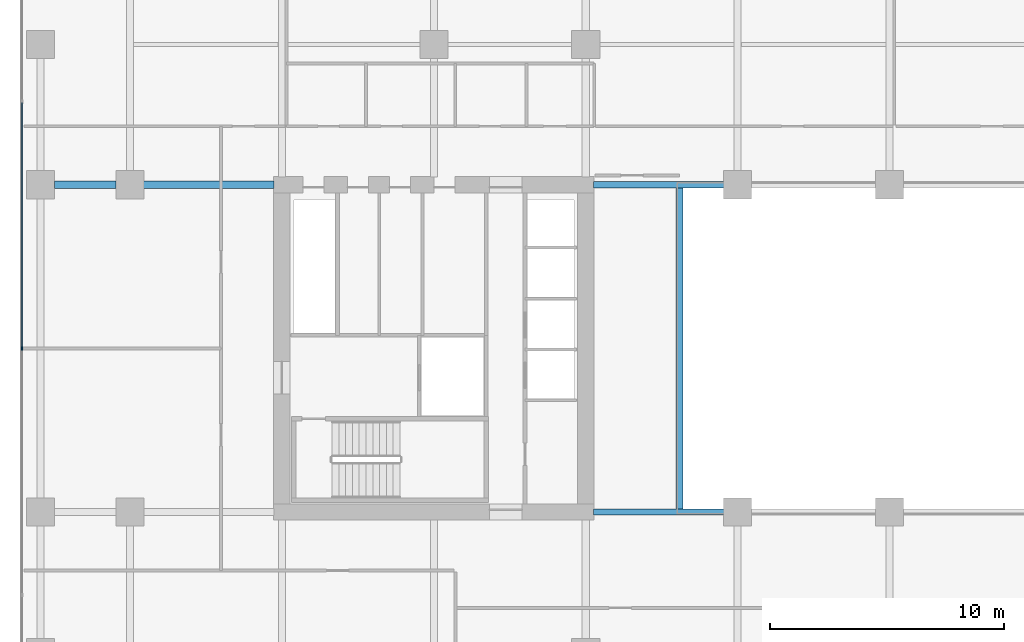
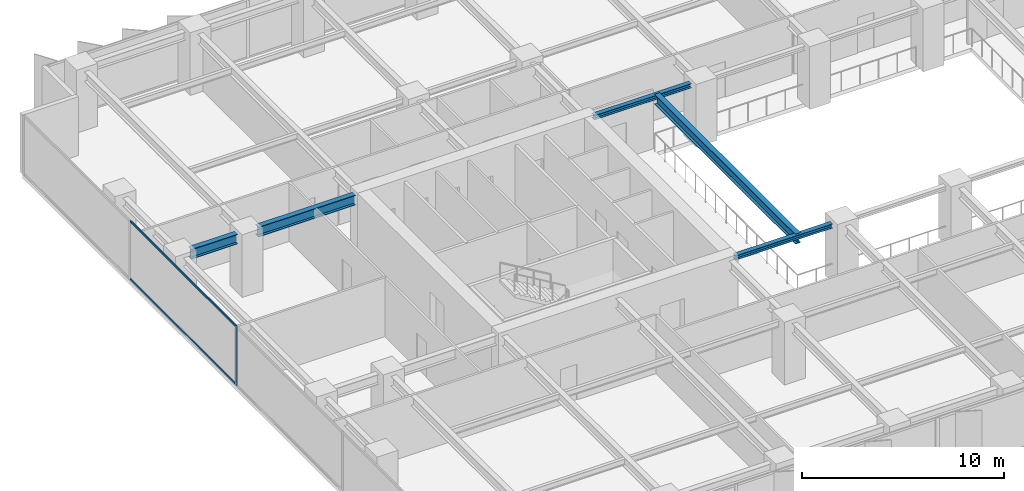
# One storey, part 4 of 20: 5 beams, 3 members, 1 element without a shape of its own.
"""IFC4 building model written with IfcOpenShell, lengths in metres."""

from ifc_helpers import new_model, si_unit, direction, frame, origin, origin_2d, place, context, subcontext, project, spatial, rectangle, i_section, extrude, material, layer, layer_set, material_profile, profile_set, type_object, element, aggregate, save


model = new_model("IFC4")

# Units and contexts
model_context = context("Model", 3, precision=1e-05, world=origin(), true_north=direction((0.0, 1.0)))
body_context = subcontext(model_context, "Body", "Model", "MODEL_VIEW")
ifc_project = project(units=[si_unit("LENGTHUNIT", "METRE"), si_unit("AREAUNIT", "SQUARE_METRE"), si_unit("VOLUMEUNIT", "CUBIC_METRE"), si_unit("PLANEANGLEUNIT", "RADIAN"), si_unit("MASSUNIT", "GRAM", prefix="KILO")], contexts=[model_context])

# Site, building, storey
site_placement = place(None, origin())
site = spatial("IfcSite", under=ifc_project, at=site_placement, CompositionType="ELEMENT")
building_placement = place(site_placement, origin())
building = spatial("IfcBuilding", under=site, at=building_placement, Name="Putna Gate Headquarters", CompositionType="ELEMENT")
storey_placement = place(building_placement, frame((0.0, 0.0, 112.60009765625)))
storey = spatial("IfcBuildingStorey", under=building, at=storey_placement, Name="L27", CompositionType="ELEMENT", Elevation=112.60009765625)

# Beams
ifc_material_1 = material(Name="Steel S355J2", Category="steel")
ifc_material_profile_1 = material_profile(ifc_material_1, i_section(OverallWidth=0.260009765625, OverallDepth=0.260009765625, WebThickness=0.010009765625, FlangeThickness=0.017578125, at=origin_2d()), Name="Steel S355J2")
ifc_profile_set_1 = profile_set([ifc_material_profile_1], Name="Steel S355J2")
beam_type_1 = type_object("IfcBeamType", Name="BM-ATRIUM-HEB260", PredefinedType="BEAM", material=ifc_profile_set_1)
for number, where, z_axis, x_axis, name in (
    (1, (26.3349609375, 19.0, 3.434814453125), (1.0, 0.0, 0.0), (0.0, 1.0, 0.0), "L27 Atrium Edge Beam AS1"),
    (2, (26.3349609375, 33.0, 3.434814453125), (1.0, 0.0, 0.0), (0.0, 1.0, 0.0), "L27 Atrium Edge Beam AN1"),
):
    element("IfcBeam", number, at=place(storey_placement, frame(where, z_axis=z_axis, x_axis=x_axis)), inside=storey, type_object=beam_type_1, Name=name, PredefinedType="BEAM", context=body_context, shape_type="SweptSolid", body=[
        extrude(i_section(OverallWidth=0.260009765625, OverallDepth=0.260009765625, WebThickness=0.010009765625, FlangeThickness=0.017578125, at=origin_2d()), origin(), (0.0, 0.0, 1.0), 5.5771484375),
    ])
ifc_material_profile_2 = material_profile(ifc_material_1, i_section(OverallWidth=0.300048828125, OverallDepth=0.60009765625, WebThickness=0.015380859375, FlangeThickness=0.030029296875, at=origin_2d()), Name="Steel S355J2")
ifc_profile_set_2 = profile_set([ifc_material_profile_2], Name="Steel S355J2")
beam_type_2 = type_object("IfcBeamType", Name="BM-GIRD-Z2-HEB600", PredefinedType="USERDEFINED", material=ifc_profile_set_2)
beam_1_placement = place(storey_placement, frame((3.26806640625, 33.0, 3.264892578125), z_axis=(1.0, 0.0, 0.0), x_axis=(0.0, 1.0, 0.0)))
element("IfcBeam", 3, at=beam_1_placement, inside=storey, type_object=beam_type_2, Name="L27 West Wing Girder Y33-1", ObjectType="GIRDER", PredefinedType="USERDEFINED", context=body_context, shape_type="SweptSolid", body=[
    extrude(i_section(OverallWidth=0.300048828125, OverallDepth=0.60009765625, WebThickness=0.015380859375, FlangeThickness=0.030029296875, at=origin_2d()), origin(), (0.0, 0.0, 1.0), 2.64404296875),
])
beam_2_placement = place(storey_placement, frame((7.087890625, 33.0, 3.264892578125), z_axis=(1.0, 0.0, 0.0), x_axis=(0.0, 1.0, 0.0)))
element("IfcBeam", 4, at=beam_2_placement, inside=storey, type_object=beam_type_2, Name="L27 West Wing Girder Y33-2", ObjectType="GIRDER", PredefinedType="USERDEFINED", context=body_context, shape_type="SweptSolid", body=[
    extrude(i_section(OverallWidth=0.300048828125, OverallDepth=0.60009765625, WebThickness=0.015380859375, FlangeThickness=0.030029296875, at=origin_2d()), origin(), (0.0, 0.0, 1.0), 5.5771484375),
])
beam_3_placement = place(storey_placement, frame((30.0, 19.010009765625, 3.264892578125), z_axis=(0.0, 1.0, 0.0), x_axis=(-1.0, 0.0, 0.0)))
element("IfcBeam", 5, at=beam_3_placement, inside=storey, type_object=beam_type_2, Name="L27 Atrium Trim Girder AW", ObjectType="GIRDER", PredefinedType="USERDEFINED", context=body_context, shape_type="SweptSolid", body=[
    extrude(i_section(OverallWidth=0.300048828125, OverallDepth=0.60009765625, WebThickness=0.015380859375, FlangeThickness=0.030029296875, at=origin_2d()), origin(), (0.0, 0.0, 1.0), 13.97998046875),
])

# Curtain wall, members
ifc_material_2 = material(Name="Anodised bronze aluminium curtain wall", Category="aluminium")
ifc_layer = layer(ifc_material_2, 0.159912109375)
ifc_layer_set = layer_set([ifc_layer], Name="Anodised bronze aluminium curtain wall")
curtain_wall_type = type_object("IfcCurtainWallType", Name="CW-SYS-Z2", PredefinedType="USERDEFINED", material=ifc_layer_set)
curtain_wall_placement = place(storey_placement, origin())
curtain_wall = element("IfcCurtainWall", 6, at=curtain_wall_placement, inside=storey, type_object=curtain_wall_type, Name="L27 West Curtain Wall", ObjectType="STICK CURTAIN WALL", PredefinedType="USERDEFINED")
ifc_material_3 = material(Name="Anodised bronze aluminium EN AW-6060", Category="aluminium")
ifc_material_profile_3 = material_profile(ifc_material_3, rectangle(XDim=0.06494140625, YDim=0.159912109375, at=origin_2d()), Name="Anodised bronze aluminium EN AW-6060")
ifc_profile_set_3 = profile_set([ifc_material_profile_3], Name="Anodised bronze aluminium EN AW-6060")
member_type_1 = type_object("IfcMemberType", Name="MULL-CWM-2", PredefinedType="MULLION", material=ifc_profile_set_3)
member_1_placement = place(storey_placement, frame((1.8798828125, 26.0, 0.0), z_axis=(0.0, 0.0, 1.0), x_axis=(-1.0, 0.0, 0.0)))
member_1 = element("IfcMember", 7, at=member_1_placement, type_object=member_type_1, Name="CWS-2 mullion 3", PredefinedType="MULLION", context=body_context, shape_type="SweptSolid", body=[
    extrude(rectangle(XDim=0.06494140625, YDim=0.159912109375, at=origin_2d()), origin(), (0.0, 0.0, 1.0), 3.56494140625),
])
ifc_material_profile_4 = material_profile(ifc_material_3, rectangle(XDim=0.06494140625, YDim=0.1201171875, at=origin_2d()), Name="Anodised bronze aluminium EN AW-6060")
ifc_profile_set_4 = profile_set([ifc_material_profile_4], Name="Anodised bronze aluminium EN AW-6060")
member_type_2 = type_object("IfcMemberType", Name="TRAN-CWT-2", PredefinedType="USERDEFINED", material=ifc_profile_set_4)
member_2_placement = place(storey_placement, frame((1.8798828125, 26.032470703125, 0.032470703125), z_axis=(0.0, 1.0, 0.0), x_axis=(-1.0, 0.0, 0.0)))
member_2 = element("IfcMember", 8, at=member_2_placement, type_object=member_type_2, Name="CWS-2 transom 3.1", ObjectType="TRANSOM", PredefinedType="USERDEFINED", context=body_context, shape_type="SweptSolid", body=[
    extrude(rectangle(XDim=0.06494140625, YDim=0.1201171875, at=origin_2d()), origin(), (0.0, 0.0, 1.0), 10.485107421875),
])
member_3_placement = place(storey_placement, frame((1.8798828125, 26.032470703125, 3.532470703125), z_axis=(0.0, 1.0, 0.0), x_axis=(-1.0, 0.0, 0.0)))
member_3 = element("IfcMember", 9, at=member_3_placement, type_object=member_type_2, Name="CWS-2 transom 3.2", ObjectType="TRANSOM", PredefinedType="USERDEFINED", context=body_context, shape_type="SweptSolid", body=[
    extrude(rectangle(XDim=0.06494140625, YDim=0.1201171875, at=origin_2d()), origin(), (0.0, 0.0, 1.0), 10.485107421875),
])
aggregate(curtain_wall, [member_1, member_2, member_3])

save(model, "model.ifc")
